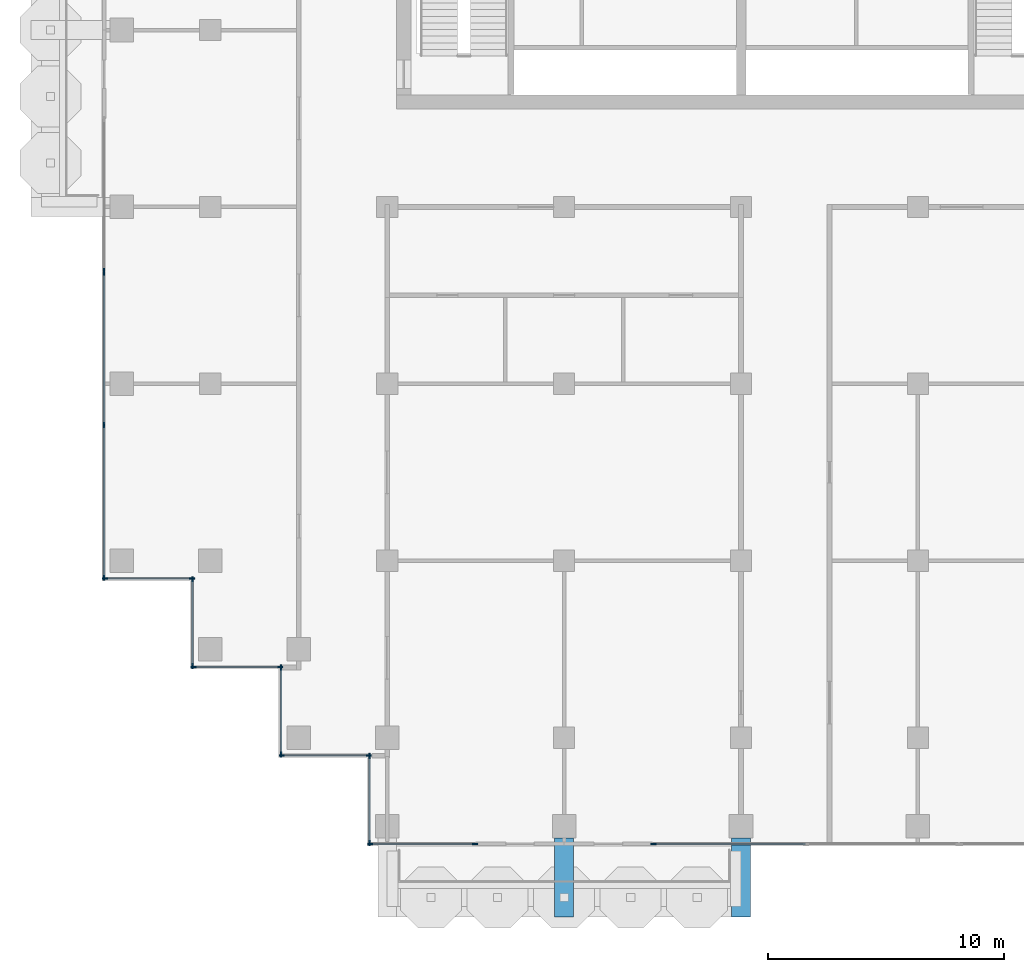
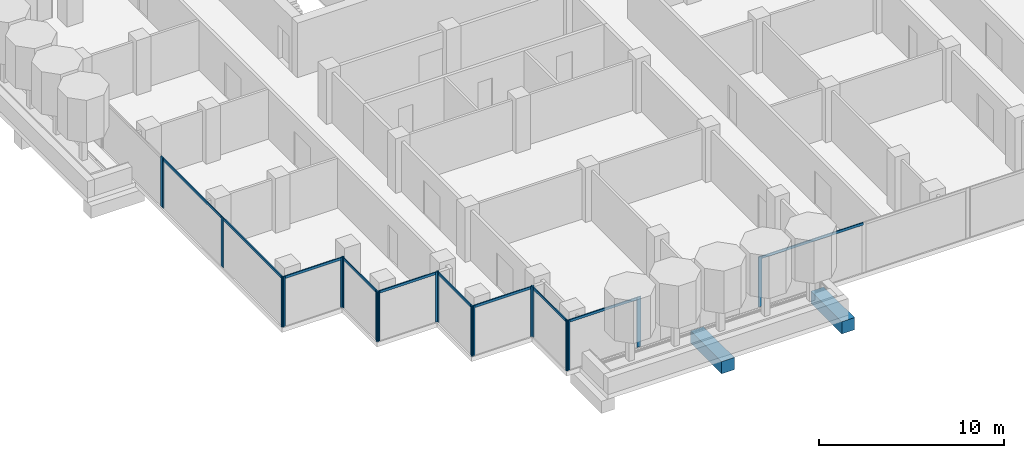
# One storey, part 2 of 18: 29 members, 2 beams, 10 elements without a shape of their own.
"""IFC4 building model written with IfcOpenShell, lengths in metres."""

from ifc_helpers import new_model, si_unit, direction, frame, origin, origin_2d, place, context, subcontext, project, spatial, rectangle, extrude, material, material_profile, profile_set, type_object, element, aggregate, save


model = new_model("IFC4")

# Units and contexts
model_context = context("Model", 3, precision=1e-05, world=origin(), true_north=direction((0.0, 1.0)))
body_context = subcontext(model_context, "Body", "Model", "MODEL_VIEW")
ifc_project = project(units=[si_unit("LENGTHUNIT", "METRE"), si_unit("AREAUNIT", "SQUARE_METRE"), si_unit("VOLUMEUNIT", "CUBIC_METRE"), si_unit("PLANEANGLEUNIT", "RADIAN"), si_unit("MASSUNIT", "GRAM", prefix="KILO")], contexts=[model_context])

# Site, building, storey
site_placement = place(None, origin())
site = spatial("IfcSite", under=ifc_project, at=site_placement, CompositionType="ELEMENT")
building_placement = place(site_placement, origin())
building = spatial("IfcBuilding", under=site, at=building_placement, Name="Pilkhan Gate Tower", CompositionType="ELEMENT")
storey_placement = place(building_placement, frame((0.0, 0.0, 192.300048828125)))
storey = spatial("IfcBuildingStorey", under=building, at=storey_placement, Name="L49", CompositionType="ELEMENT", Elevation=192.300048828125)

# Beams
ifc_material_1 = material(Name="Concrete C50/60", Category="concrete")
ifc_material_profile_1 = material_profile(ifc_material_1, rectangle(XDim=0.800048828125, YDim=0.800048828125, at=origin_2d()), Name="RC 800x800")
ifc_profile_set_1 = profile_set([ifc_material_profile_1], Name="Concrete C50/60")
beam_type = type_object("IfcBeamType", Name="Cantilever beam CB2 RC 800x800 C50/60", PredefinedType="BEAM", material=ifc_profile_set_1)
for number, where, z_axis, x_axis, name in (
    (1, (67.5, 40.75, -0.699951171875), (0.0, -1.0, 0.0), (1.0, 0.0, 0.0), "Balcony beam S.2 L49"),
    (2, (75.0, 40.75, -0.699951171875), (0.0, -1.0, 0.0), (1.0, 0.0, 0.0), "Balcony beam S.3 L49"),
):
    element("IfcBeam", number, at=place(storey_placement, frame(where, z_axis=z_axis, x_axis=x_axis)), inside=storey, type_object=beam_type, Name=name, PredefinedType="BEAM", context=body_context, shape_type="SweptSolid", body=[
        extrude(rectangle(XDim=0.800048828125, YDim=0.800048828125, at=origin_2d()), origin(), (0.0, 0.0, 1.0), 3.35009765625),
    ])

# Curtain wall, members
ifc_material_2 = material(Name="Pale anodised aluminium, clear low-iron double glazing", Category="aluminium")
curtain_wall_type = type_object("IfcCurtainWallType", Name="Office unitised curtain wall CW-O2", PredefinedType="USERDEFINED", material=ifc_material_2)
curtain_wall_1_placement = place(storey_placement, origin())
curtain_wall_1 = element("IfcCurtainWall", 3, at=curtain_wall_1_placement, inside=storey, type_object=curtain_wall_type, Name="Office unitised curtain wall CW-O2 L49 W", ObjectType="UNITISED CURTAIN WALL", PredefinedType="USERDEFINED")
ifc_material_3 = material(Name="Pale anodised aluminium", Category="aluminium")
ifc_material_profile_2 = material_profile(ifc_material_3, rectangle(XDim=0.06494140625, YDim=0.22509765625, at=origin_2d()), Name="Mullion 225x65")
ifc_profile_set_2 = profile_set([ifc_material_profile_2], Name="Pale anodised aluminium")
member_type_1 = type_object("IfcMemberType", Name="Mullion CW-O2 225x65", PredefinedType="MULLION", material=ifc_profile_set_2)
member_1_placement = place(storey_placement, frame((48.0, 51.782470703125, 0.0), z_axis=(0.0, 0.0, 1.0), x_axis=(-1.0, 0.0, 0.0)))
member_1 = element("IfcMember", 4, at=member_1_placement, type_object=member_type_1, Name="CW-O2 mullion 1", PredefinedType="MULLION", context=body_context, shape_type="SweptSolid", body=[
    extrude(rectangle(XDim=0.06494140625, YDim=0.22509765625, at=origin_2d()), origin(), (0.0, 0.0, 1.0), 3.300048828125),
])
member_2_placement = place(storey_placement, frame((48.0, 58.25, 0.0), z_axis=(0.0, 0.0, 1.0), x_axis=(-1.0, 0.0, 0.0)))
member_2 = element("IfcMember", 5, at=member_2_placement, type_object=member_type_1, Name="CW-O2 mullion 2", PredefinedType="MULLION", context=body_context, shape_type="SweptSolid", body=[
    extrude(rectangle(XDim=0.06494140625, YDim=0.22509765625, at=origin_2d()), origin(), (0.0, 0.0, 1.0), 3.300048828125),
])
member_3_placement = place(storey_placement, frame((48.0, 64.717529296875, 0.0), z_axis=(0.0, 0.0, 1.0), x_axis=(-1.0, 0.0, 0.0)))
member_3 = element("IfcMember", 6, at=member_3_placement, type_object=member_type_1, Name="CW-O2 mullion 3", PredefinedType="MULLION", context=body_context, shape_type="SweptSolid", body=[
    extrude(rectangle(XDim=0.06494140625, YDim=0.22509765625, at=origin_2d()), origin(), (0.0, 0.0, 1.0), 3.300048828125),
])

# Curtain wall, member
curtain_wall_2_placement = place(storey_placement, origin())
curtain_wall_2 = element("IfcCurtainWall", 7, at=curtain_wall_2_placement, inside=storey, type_object=curtain_wall_type, Name="Office unitised curtain wall CW-O2 L49 W", ObjectType="UNITISED CURTAIN WALL", PredefinedType="USERDEFINED")
member_4_placement = place(storey_placement, frame((48.0, 64.782470703125, 0.0), z_axis=(0.0, 0.0, 1.0), x_axis=(-1.0, 0.0, 0.0)))
member_4 = element("IfcMember", 8, at=member_4_placement, type_object=member_type_1, Name="CW-O2 mullion 1", PredefinedType="MULLION", context=body_context, shape_type="SweptSolid", body=[
    extrude(rectangle(XDim=0.06494140625, YDim=0.22509765625, at=origin_2d()), origin(), (0.0, 0.0, 1.0), 3.300048828125),
])
aggregate(curtain_wall_2, [member_4])

# Curtain wall, members
curtain_wall_3_placement = place(storey_placement, origin())
curtain_wall_3 = element("IfcCurtainWall", 9, at=curtain_wall_3_placement, inside=storey, type_object=curtain_wall_type, Name="Office unitised curtain wall CW-O2 L49 S", ObjectType="UNITISED CURTAIN WALL", PredefinedType="USERDEFINED")
member_5_placement = place(storey_placement, frame((48.032470703125, 51.75, 0.0), z_axis=(0.0, 0.0, 1.0), x_axis=(0.0, 1.0, 0.0)))
member_5 = element("IfcMember", 10, at=member_5_placement, type_object=member_type_1, Name="CW-O2 mullion 1", PredefinedType="MULLION", context=body_context, shape_type="SweptSolid", body=[
    extrude(rectangle(XDim=0.06494140625, YDim=0.22509765625, at=origin_2d()), origin(), (0.0, 0.0, 1.0), 3.300048828125),
])
member_6_placement = place(storey_placement, frame((51.717529296875, 51.75, 0.0), z_axis=(0.0, 0.0, 1.0), x_axis=(0.0, 1.0, 0.0)))
member_6 = element("IfcMember", 11, at=member_6_placement, type_object=member_type_1, Name="CW-O2 mullion 2", PredefinedType="MULLION", context=body_context, shape_type="SweptSolid", body=[
    extrude(rectangle(XDim=0.06494140625, YDim=0.22509765625, at=origin_2d()), origin(), (0.0, 0.0, 1.0), 3.300048828125),
])

curtain_wall_4_placement = place(storey_placement, origin())
curtain_wall_4 = element("IfcCurtainWall", 12, at=curtain_wall_4_placement, inside=storey, type_object=curtain_wall_type, Name="Office unitised curtain wall CW-O2 L49 W", ObjectType="UNITISED CURTAIN WALL", PredefinedType="USERDEFINED")
member_7_placement = place(storey_placement, frame((51.75, 48.032470703125, 0.0), z_axis=(0.0, 0.0, 1.0), x_axis=(-1.0, 0.0, 0.0)))
member_7 = element("IfcMember", 13, at=member_7_placement, type_object=member_type_1, Name="CW-O2 mullion 1", PredefinedType="MULLION", context=body_context, shape_type="SweptSolid", body=[
    extrude(rectangle(XDim=0.06494140625, YDim=0.22509765625, at=origin_2d()), origin(), (0.0, 0.0, 1.0), 3.300048828125),
])
member_8_placement = place(storey_placement, frame((51.75, 51.717529296875, 0.0), z_axis=(0.0, 0.0, 1.0), x_axis=(-1.0, 0.0, 0.0)))
member_8 = element("IfcMember", 14, at=member_8_placement, type_object=member_type_1, Name="CW-O2 mullion 2", PredefinedType="MULLION", context=body_context, shape_type="SweptSolid", body=[
    extrude(rectangle(XDim=0.06494140625, YDim=0.22509765625, at=origin_2d()), origin(), (0.0, 0.0, 1.0), 3.300048828125),
])

curtain_wall_5_placement = place(storey_placement, origin())
curtain_wall_5 = element("IfcCurtainWall", 15, at=curtain_wall_5_placement, inside=storey, type_object=curtain_wall_type, Name="Office unitised curtain wall CW-O2 L49 S", ObjectType="UNITISED CURTAIN WALL", PredefinedType="USERDEFINED")
member_9_placement = place(storey_placement, frame((51.782470703125, 48.0, 0.0), z_axis=(0.0, 0.0, 1.0), x_axis=(0.0, 1.0, 0.0)))
member_9 = element("IfcMember", 16, at=member_9_placement, type_object=member_type_1, Name="CW-O2 mullion 1", PredefinedType="MULLION", context=body_context, shape_type="SweptSolid", body=[
    extrude(rectangle(XDim=0.06494140625, YDim=0.22509765625, at=origin_2d()), origin(), (0.0, 0.0, 1.0), 3.300048828125),
])
member_10_placement = place(storey_placement, frame((55.467529296875, 48.0, 0.0), z_axis=(0.0, 0.0, 1.0), x_axis=(0.0, 1.0, 0.0)))
member_10 = element("IfcMember", 17, at=member_10_placement, type_object=member_type_1, Name="CW-O2 mullion 2", PredefinedType="MULLION", context=body_context, shape_type="SweptSolid", body=[
    extrude(rectangle(XDim=0.06494140625, YDim=0.22509765625, at=origin_2d()), origin(), (0.0, 0.0, 1.0), 3.300048828125),
])

curtain_wall_6_placement = place(storey_placement, origin())
curtain_wall_6 = element("IfcCurtainWall", 18, at=curtain_wall_6_placement, inside=storey, type_object=curtain_wall_type, Name="Office unitised curtain wall CW-O2 L49 W", ObjectType="UNITISED CURTAIN WALL", PredefinedType="USERDEFINED")
member_11_placement = place(storey_placement, frame((55.5, 44.282470703125, 0.0), z_axis=(0.0, 0.0, 1.0), x_axis=(-1.0, 0.0, 0.0)))
member_11 = element("IfcMember", 19, at=member_11_placement, type_object=member_type_1, Name="CW-O2 mullion 1", PredefinedType="MULLION", context=body_context, shape_type="SweptSolid", body=[
    extrude(rectangle(XDim=0.06494140625, YDim=0.22509765625, at=origin_2d()), origin(), (0.0, 0.0, 1.0), 3.300048828125),
])
member_12_placement = place(storey_placement, frame((55.5, 47.967529296875, 0.0), z_axis=(0.0, 0.0, 1.0), x_axis=(-1.0, 0.0, 0.0)))
member_12 = element("IfcMember", 20, at=member_12_placement, type_object=member_type_1, Name="CW-O2 mullion 2", PredefinedType="MULLION", context=body_context, shape_type="SweptSolid", body=[
    extrude(rectangle(XDim=0.06494140625, YDim=0.22509765625, at=origin_2d()), origin(), (0.0, 0.0, 1.0), 3.300048828125),
])

curtain_wall_7_placement = place(storey_placement, origin())
curtain_wall_7 = element("IfcCurtainWall", 21, at=curtain_wall_7_placement, inside=storey, type_object=curtain_wall_type, Name="Office unitised curtain wall CW-O2 L49 S", ObjectType="UNITISED CURTAIN WALL", PredefinedType="USERDEFINED")
member_13_placement = place(storey_placement, frame((55.532470703125, 44.25, 0.0), z_axis=(0.0, 0.0, 1.0), x_axis=(0.0, 1.0, 0.0)))
member_13 = element("IfcMember", 22, at=member_13_placement, type_object=member_type_1, Name="CW-O2 mullion 1", PredefinedType="MULLION", context=body_context, shape_type="SweptSolid", body=[
    extrude(rectangle(XDim=0.06494140625, YDim=0.22509765625, at=origin_2d()), origin(), (0.0, 0.0, 1.0), 3.300048828125),
])
member_14_placement = place(storey_placement, frame((59.217529296875, 44.25, 0.0), z_axis=(0.0, 0.0, 1.0), x_axis=(0.0, 1.0, 0.0)))
member_14 = element("IfcMember", 23, at=member_14_placement, type_object=member_type_1, Name="CW-O2 mullion 2", PredefinedType="MULLION", context=body_context, shape_type="SweptSolid", body=[
    extrude(rectangle(XDim=0.06494140625, YDim=0.22509765625, at=origin_2d()), origin(), (0.0, 0.0, 1.0), 3.300048828125),
])

curtain_wall_8_placement = place(storey_placement, origin())
curtain_wall_8 = element("IfcCurtainWall", 24, at=curtain_wall_8_placement, inside=storey, type_object=curtain_wall_type, Name="Office unitised curtain wall CW-O2 L49 W", ObjectType="UNITISED CURTAIN WALL", PredefinedType="USERDEFINED")
member_15_placement = place(storey_placement, frame((59.25, 40.532470703125, 0.0), z_axis=(0.0, 0.0, 1.0), x_axis=(-1.0, 0.0, 0.0)))
member_15 = element("IfcMember", 25, at=member_15_placement, type_object=member_type_1, Name="CW-O2 mullion 1", PredefinedType="MULLION", context=body_context, shape_type="SweptSolid", body=[
    extrude(rectangle(XDim=0.06494140625, YDim=0.22509765625, at=origin_2d()), origin(), (0.0, 0.0, 1.0), 3.300048828125),
])
member_16_placement = place(storey_placement, frame((59.25, 44.217529296875, 0.0), z_axis=(0.0, 0.0, 1.0), x_axis=(-1.0, 0.0, 0.0)))
member_16 = element("IfcMember", 26, at=member_16_placement, type_object=member_type_1, Name="CW-O2 mullion 2", PredefinedType="MULLION", context=body_context, shape_type="SweptSolid", body=[
    extrude(rectangle(XDim=0.06494140625, YDim=0.22509765625, at=origin_2d()), origin(), (0.0, 0.0, 1.0), 3.300048828125),
])

curtain_wall_9_placement = place(storey_placement, origin())
curtain_wall_9 = element("IfcCurtainWall", 27, at=curtain_wall_9_placement, inside=storey, type_object=curtain_wall_type, Name="Office unitised curtain wall CW-O2 L49 S", ObjectType="UNITISED CURTAIN WALL", PredefinedType="USERDEFINED")
member_17_placement = place(storey_placement, frame((59.282470703125, 40.5, 0.0), z_axis=(0.0, 0.0, 1.0), x_axis=(0.0, 1.0, 0.0)))
member_17 = element("IfcMember", 28, at=member_17_placement, type_object=member_type_1, Name="CW-O2 mullion 1", PredefinedType="MULLION", context=body_context, shape_type="SweptSolid", body=[
    extrude(rectangle(XDim=0.06494140625, YDim=0.22509765625, at=origin_2d()), origin(), (0.0, 0.0, 1.0), 3.300048828125),
])
member_18_placement = place(storey_placement, frame((63.717529296875, 40.5, 0.0), z_axis=(0.0, 0.0, 1.0), x_axis=(0.0, 1.0, 0.0)))
member_18 = element("IfcMember", 29, at=member_18_placement, type_object=member_type_1, Name="CW-O2 mullion 2", PredefinedType="MULLION", context=body_context, shape_type="SweptSolid", body=[
    extrude(rectangle(XDim=0.06494140625, YDim=0.22509765625, at=origin_2d()), origin(), (0.0, 0.0, 1.0), 3.300048828125),
])

# Curtain wall, member
curtain_wall_10_placement = place(storey_placement, origin())
curtain_wall_10 = element("IfcCurtainWall", 30, at=curtain_wall_10_placement, inside=storey, type_object=curtain_wall_type, Name="Office unitised curtain wall CW-O2 L49 S", ObjectType="UNITISED CURTAIN WALL", PredefinedType="USERDEFINED")
member_19_placement = place(storey_placement, frame((71.282470703125, 40.5, 0.0), z_axis=(0.0, 0.0, 1.0), x_axis=(0.0, 1.0, 0.0)))
member_19 = element("IfcMember", 31, at=member_19_placement, type_object=member_type_1, Name="CW-O2 mullion 1", PredefinedType="MULLION", context=body_context, shape_type="SweptSolid", body=[
    extrude(rectangle(XDim=0.06494140625, YDim=0.22509765625, at=origin_2d()), origin(), (0.0, 0.0, 1.0), 3.300048828125),
])

# Member
ifc_material_profile_3 = material_profile(ifc_material_3, rectangle(XDim=0.06494140625, YDim=0.1650390625, at=origin_2d()), Name="Transom 165x65")
ifc_profile_set_3 = profile_set([ifc_material_profile_3], Name="Pale anodised aluminium")
member_type_2 = type_object("IfcMemberType", Name="Transom CW-O2 165x65", PredefinedType="USERDEFINED", material=ifc_profile_set_3)
member_20_placement = place(storey_placement, frame((48.0, 51.81494140625, 3.217529296875), z_axis=(0.0, 1.0, 0.0), x_axis=(-1.0, 0.0, 0.0)))
member_20 = element("IfcMember", 32, at=member_20_placement, type_object=member_type_2, Name="CW-O2 transom 1", ObjectType="TRANSOM", PredefinedType="USERDEFINED", context=body_context, shape_type="SweptSolid", body=[
    extrude(rectangle(XDim=0.06494140625, YDim=0.1650390625, at=origin_2d()), origin(), (0.0, 0.0, 1.0), 6.402587890625),
])

member_21_placement = place(storey_placement, frame((48.0, 58.282470703125, 3.217529296875), z_axis=(0.0, 1.0, 0.0), x_axis=(-1.0, 0.0, 0.0)))
member_21 = element("IfcMember", 33, at=member_21_placement, type_object=member_type_2, Name="CW-O2 transom 2", ObjectType="TRANSOM", PredefinedType="USERDEFINED", context=body_context, shape_type="SweptSolid", body=[
    extrude(rectangle(XDim=0.06494140625, YDim=0.1650390625, at=origin_2d()), origin(), (0.0, 0.0, 1.0), 6.402587890625),
])

aggregate(curtain_wall_1, [member_1, member_2, member_3, member_20, member_21])

member_22_placement = place(storey_placement, frame((48.06494140625, 51.75, 3.217529296875), z_axis=(1.0, 0.0, 0.0), x_axis=(0.0, 1.0, 0.0)))
member_22 = element("IfcMember", 34, at=member_22_placement, type_object=member_type_2, Name="CW-O2 transom 1", ObjectType="TRANSOM", PredefinedType="USERDEFINED", context=body_context, shape_type="SweptSolid", body=[
    extrude(rectangle(XDim=0.06494140625, YDim=0.1650390625, at=origin_2d()), origin(), (0.0, 0.0, 1.0), 3.6201171875),
])

aggregate(curtain_wall_3, [member_5, member_6, member_22])

member_23_placement = place(storey_placement, frame((51.75, 48.06494140625, 3.217529296875), z_axis=(0.0, 1.0, 0.0), x_axis=(-1.0, 0.0, 0.0)))
member_23 = element("IfcMember", 35, at=member_23_placement, type_object=member_type_2, Name="CW-O2 transom 1", ObjectType="TRANSOM", PredefinedType="USERDEFINED", context=body_context, shape_type="SweptSolid", body=[
    extrude(rectangle(XDim=0.06494140625, YDim=0.1650390625, at=origin_2d()), origin(), (0.0, 0.0, 1.0), 3.6201171875),
])

aggregate(curtain_wall_4, [member_7, member_8, member_23])

member_24_placement = place(storey_placement, frame((51.81494140625, 48.0, 3.217529296875), z_axis=(1.0, 0.0, 0.0), x_axis=(0.0, 1.0, 0.0)))
member_24 = element("IfcMember", 36, at=member_24_placement, type_object=member_type_2, Name="CW-O2 transom 1", ObjectType="TRANSOM", PredefinedType="USERDEFINED", context=body_context, shape_type="SweptSolid", body=[
    extrude(rectangle(XDim=0.06494140625, YDim=0.1650390625, at=origin_2d()), origin(), (0.0, 0.0, 1.0), 3.6201171875),
])

aggregate(curtain_wall_5, [member_9, member_10, member_24])

member_25_placement = place(storey_placement, frame((55.5, 44.31494140625, 3.217529296875), z_axis=(0.0, 1.0, 0.0), x_axis=(-1.0, 0.0, 0.0)))
member_25 = element("IfcMember", 37, at=member_25_placement, type_object=member_type_2, Name="CW-O2 transom 1", ObjectType="TRANSOM", PredefinedType="USERDEFINED", context=body_context, shape_type="SweptSolid", body=[
    extrude(rectangle(XDim=0.06494140625, YDim=0.1650390625, at=origin_2d()), origin(), (0.0, 0.0, 1.0), 3.6201171875),
])

aggregate(curtain_wall_6, [member_11, member_12, member_25])

member_26_placement = place(storey_placement, frame((55.56494140625, 44.25, 3.217529296875), z_axis=(1.0, 0.0, 0.0), x_axis=(0.0, 1.0, 0.0)))
member_26 = element("IfcMember", 38, at=member_26_placement, type_object=member_type_2, Name="CW-O2 transom 1", ObjectType="TRANSOM", PredefinedType="USERDEFINED", context=body_context, shape_type="SweptSolid", body=[
    extrude(rectangle(XDim=0.06494140625, YDim=0.1650390625, at=origin_2d()), origin(), (0.0, 0.0, 1.0), 3.6201171875),
])

aggregate(curtain_wall_7, [member_13, member_14, member_26])

member_27_placement = place(storey_placement, frame((59.25, 40.56494140625, 3.217529296875), z_axis=(0.0, 1.0, 0.0), x_axis=(-1.0, 0.0, 0.0)))
member_27 = element("IfcMember", 39, at=member_27_placement, type_object=member_type_2, Name="CW-O2 transom 1", ObjectType="TRANSOM", PredefinedType="USERDEFINED", context=body_context, shape_type="SweptSolid", body=[
    extrude(rectangle(XDim=0.06494140625, YDim=0.1650390625, at=origin_2d()), origin(), (0.0, 0.0, 1.0), 3.6201171875),
])

aggregate(curtain_wall_8, [member_15, member_16, member_27])

member_28_placement = place(storey_placement, frame((59.31494140625, 40.5, 3.217529296875), z_axis=(1.0, 0.0, 0.0), x_axis=(0.0, 1.0, 0.0)))
member_28 = element("IfcMember", 40, at=member_28_placement, type_object=member_type_2, Name="CW-O2 transom 1", ObjectType="TRANSOM", PredefinedType="USERDEFINED", context=body_context, shape_type="SweptSolid", body=[
    extrude(rectangle(XDim=0.06494140625, YDim=0.1650390625, at=origin_2d()), origin(), (0.0, 0.0, 1.0), 4.3701171875),
])

aggregate(curtain_wall_9, [member_17, member_18, member_28])

member_29_placement = place(storey_placement, frame((71.31494140625, 40.5, 3.217529296875), z_axis=(1.0, 0.0, 0.0), x_axis=(0.0, 1.0, 0.0)))
member_29 = element("IfcMember", 41, at=member_29_placement, type_object=member_type_2, Name="CW-O2 transom 1", ObjectType="TRANSOM", PredefinedType="USERDEFINED", context=body_context, shape_type="SweptSolid", body=[
    extrude(rectangle(XDim=0.06494140625, YDim=0.1650390625, at=origin_2d()), origin(), (0.0, 0.0, 1.0), 6.402587890625),
])

aggregate(curtain_wall_10, [member_19, member_29])

save(model, "model.ifc")
